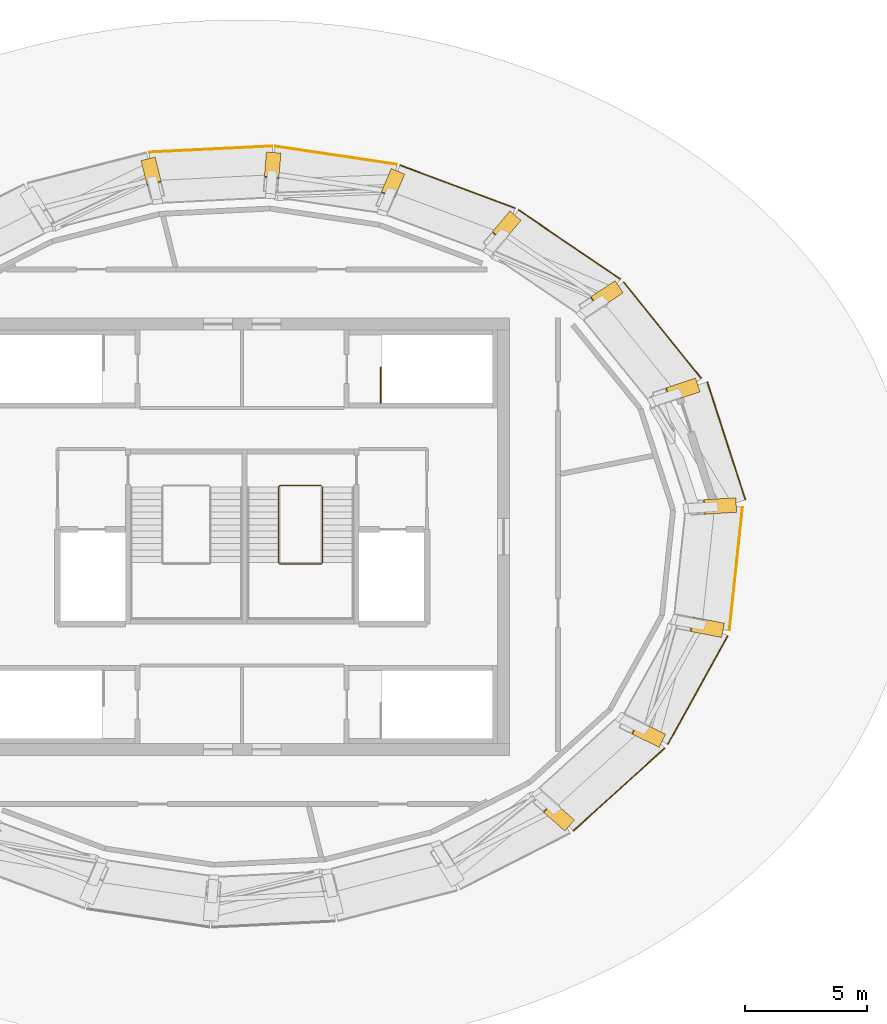
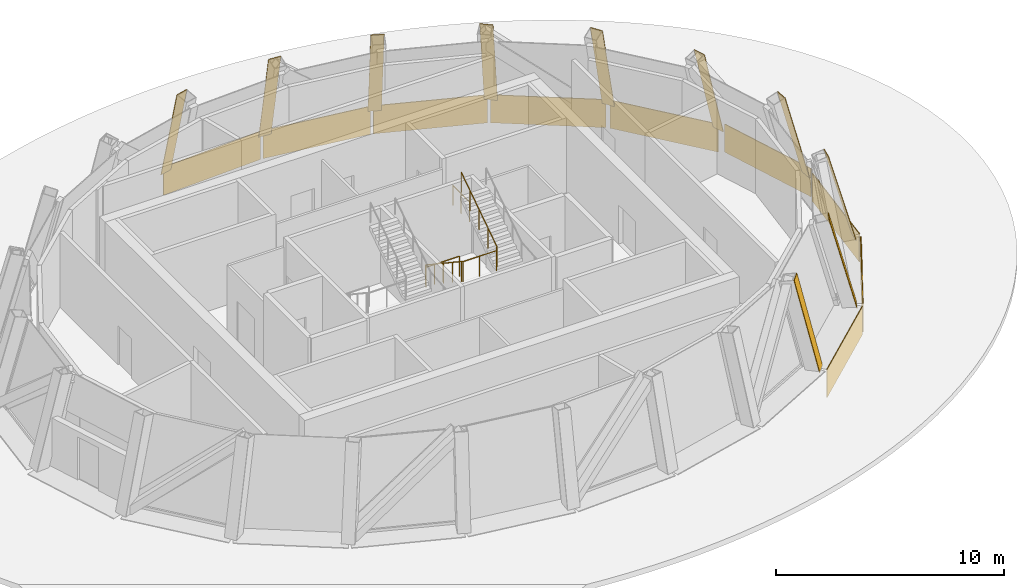
# One storey, part 9 of 9: 19 coverings, 2 railings.
"""IFC4 building model written with IfcOpenShell, lengths in metres."""

from ifc_helpers import new_model, si_unit, direction, frame, origin, origin_2d, place, context, subcontext, project, spatial, polyline, rectangle, circle, outline, extrude, source, transform, mapped, material, layer, layer_set, type_object, element, save


model = new_model("IFC4")

# Units and contexts
model_context = context("Model", 3, precision=1e-05, world=origin(), true_north=direction((0.0, 1.0)))
body_context = subcontext(model_context, "Body", "Model", "MODEL_VIEW")
ifc_project = project(units=[si_unit("LENGTHUNIT", "METRE"), si_unit("AREAUNIT", "SQUARE_METRE"), si_unit("VOLUMEUNIT", "CUBIC_METRE"), si_unit("PLANEANGLEUNIT", "RADIAN"), si_unit("MASSUNIT", "GRAM", prefix="KILO")], contexts=[model_context])

# Site, building, storey
site_placement = place(None, origin())
site = spatial("IfcSite", under=ifc_project, at=site_placement, CompositionType="ELEMENT")
building_placement = place(site_placement, origin())
building = spatial("IfcBuilding", under=site, at=building_placement, Name="Embergate Tower", CompositionType="ELEMENT")
storey_placement = place(building_placement, frame((0.0, 0.0, 352.0)))
storey = spatial("IfcBuildingStorey", under=building, at=storey_placement, Name="L80", CompositionType="ELEMENT", Elevation=352.0)

# Coverings
ifc_material_1 = material(Name="Terracotta rainscreen on insulated backing", Category="masonry")
ifc_layer_1 = layer(ifc_material_1, 0.0400390625)
ifc_layer_set_1 = layer_set([ifc_layer_1], Name="Terracotta rainscreen on insulated backing")
covering_type_1 = type_object("IfcCoveringType", Name="Terracotta rainscreen band", PredefinedType="CLADDING", material=ifc_layer_set_1)
shared_shape_1 = source(origin(), body_context, "Body", "SweptSolid", [
    extrude(rectangle(XDim=5.09375, YDim=0.0400390625, at=origin_2d()), origin(), (0.0, 0.0, 1.0), 1.5),
])
covering_1_placement = place(storey_placement, frame((19.922119140625, 3.942138671875, -1.5), z_axis=(0.0, 0.0, 1.0), x_axis=(-0.307437998108, 0.951568114913, 0.0)))
element("IfcCovering", 1, at=covering_1_placement, inside=storey, type_object=covering_type_1, Name="Crown band 1", PredefinedType="CLADDING", context=body_context, shape_type="MappedRepresentation", body=[
    mapped(shared_shape_1, transform((0.0, 0.0, 0.0))),
])
shared_shape_2 = source(origin(), body_context, "Body", "SweptSolid", [
    extrude(rectangle(XDim=5.083740234375, YDim=0.0400390625, at=origin_2d()), origin(), (0.0, 0.0, 1.0), 1.5),
])
covering_2_placement = place(storey_placement, frame((17.291259765625, 8.49609375, -1.5), z_axis=(0.0, 0.0, 1.0), x_axis=(-0.62828627661, 0.777982232846, 0.0)))
element("IfcCovering", 2, at=covering_2_placement, inside=storey, type_object=covering_type_1, Name="Crown band 2", PredefinedType="CLADDING", context=body_context, shape_type="MappedRepresentation", body=[
    mapped(shared_shape_2, transform((0.0, 0.0, 0.0))),
])
shared_shape_3 = source(origin(), body_context, "Body", "SweptSolid", [
    extrude(rectangle(XDim=5.0732421875, YDim=0.0400390625, at=origin_2d()), origin(), (0.0, 0.0, 1.0), 1.5),
])
covering_3_placement = place(storey_placement, frame((13.463134765625, 12.023193359375, -1.5), z_axis=(0.0, 0.0, 1.0), x_axis=(-0.826890208879, 0.562363390043, 0.0)))
element("IfcCovering", 3, at=covering_3_placement, inside=storey, type_object=covering_type_1, Name="Crown band 3", PredefinedType="CLADDING", context=body_context, shape_type="MappedRepresentation", body=[
    mapped(shared_shape_3, transform((0.0, 0.0, 0.0))),
])
shared_shape_4 = source(origin(), body_context, "Body", "SweptSolid", [
    extrude(rectangle(XDim=5.064453125, YDim=0.0400390625, at=origin_2d()), origin(), (0.0, 0.0, 1.0), 1.5),
])
covering_4_placement = place(storey_placement, frame((8.861083984375, 14.40283203125, -1.5), z_axis=(0.0, 0.0, 1.0), x_axis=(-0.936936583117, 0.349499412327, 0.0)))
element("IfcCovering", 4, at=covering_4_placement, inside=storey, type_object=covering_type_1, Name="Crown band 4", PredefinedType="CLADDING", context=body_context, shape_type="MappedRepresentation", body=[
    mapped(shared_shape_4, transform((0.0, 0.0, 0.0))),
])
shared_shape_5 = source(origin(), body_context, "Body", "SweptSolid", [
    extrude(rectangle(XDim=5.061279296875, YDim=0.0400390625, at=origin_2d()), origin(), (0.0, 0.0, 1.0), 1.5),
])
covering_5_placement = place(storey_placement, frame((3.8603515625, 15.693115234375, -1.5), z_axis=(0.0, 0.0, 1.0), x_axis=(-0.989077948107, 0.147393393912, 0.0)))
element("IfcCovering", 5, at=covering_5_placement, inside=storey, type_object=covering_type_1, Name="Crown band 5", PredefinedType="CLADDING", context=body_context, shape_type="MappedRepresentation", body=[
    mapped(shared_shape_5, transform((0.0, 0.0, 0.0))),
])
shared_shape_6 = source(origin(), body_context, "Body", "SweptSolid", [
    extrude(rectangle(XDim=5.05908203125, YDim=0.0400390625, at=origin_2d()), origin(), (0.0, 0.0, 1.0), 1.5),
])
covering_6_placement = place(storey_placement, frame((-1.291015625, 15.9482421875, -1.5), z_axis=(0.0, 0.0, 1.0), x_axis=(-0.998797767356, -0.049020607146, 0.0)))
element("IfcCovering", 6, at=covering_6_placement, inside=storey, type_object=covering_type_1, Name="Crown band 6", PredefinedType="CLADDING", context=body_context, shape_type="MappedRepresentation", body=[
    mapped(shared_shape_6, transform((0.0, 0.0, 0.0))),
])
shared_shape_7 = source(origin(), body_context, "Body", "SweptSolid", [
    extrude(rectangle(XDim=5.078369140625, YDim=0.0400390625, at=origin_2d()), origin(), (0.0, 0.0, 1.0), 1.5),
])
covering_7_placement = place(storey_placement, frame((15.505126953125, -10.404052734375, -1.5), z_axis=(0.0, 0.0, 1.0), x_axis=(0.741194871554, 0.671289924237, 0.0)))
element("IfcCovering", 7, at=covering_7_placement, inside=storey, type_object=covering_type_1, Name="Crown band 20", PredefinedType="CLADDING", context=body_context, shape_type="MappedRepresentation", body=[
    mapped(shared_shape_7, transform((0.0, 0.0, 0.0))),
])
shared_shape_8 = source(origin(), body_context, "Body", "SweptSolid", [
    extrude(rectangle(XDim=5.089111328125, YDim=0.0400390625, at=origin_2d()), origin(), (0.0, 0.0, 1.0), 1.5),
])
covering_8_placement = place(storey_placement, frame((18.74462890625, -6.31298828125, -1.5), z_axis=(0.0, 0.0, 1.0), x_axis=(0.483772786988, 0.87519363033, 0.0)))
element("IfcCovering", 8, at=covering_8_placement, inside=storey, type_object=covering_type_1, Name="Crown band 21", PredefinedType="CLADDING", context=body_context, shape_type="MappedRepresentation", body=[
    mapped(shared_shape_8, transform((0.0, 0.0, 0.0))),
])
shared_shape_9 = source(origin(), body_context, "Body", "SweptSolid", [
    extrude(rectangle(XDim=5.0966796875, YDim=0.0400390625, at=origin_2d()), origin(), (0.0, 0.0, 1.0), 1.5),
])
covering_9_placement = place(storey_placement, frame((20.319091796875, -1.317626953125, -1.5), z_axis=(0.0, 0.0, 1.0), x_axis=(0.105757307005, 0.994391971013, 0.0)))
element("IfcCovering", 9, at=covering_9_placement, inside=storey, type_object=covering_type_1, Name="Crown band 22", PredefinedType="CLADDING", context=body_context, shape_type="MappedRepresentation", body=[
    mapped(shared_shape_9, transform((0.0, 0.0, 0.0))),
])
ifc_material_2 = material(Name="Terracotta, extruded and fired", Category="masonry")
ifc_layer_2 = layer(ifc_material_2, 0.030029296875)
ifc_layer_set_2 = layer_set([ifc_layer_2], Name="Terracotta, extruded and fired")
covering_type_2 = type_object("IfcCoveringType", Name="Terracotta hip facing", PredefinedType="CLADDING", material=ifc_layer_set_2)
shared_shape_10 = source(origin(), body_context, "Body", "SweptSolid", [
    extrude(outline(polyline([(0.0, 0.0), (4.964111328125, 0.0), (4.964111328125, -0.599853515625), (0.0, -0.599853515625), (0.0, 0.0)])), origin(), (0.0, 0.0, -1.0), 0.030029296875),
])
covering_10_placement = place(storey_placement, frame((20.348388671875, 1.00634765625, -0.058349609375), z_axis=(0.962890864986, 0.063027725869, 0.262428443385), x_axis=(-0.261869830927, -0.017113744311, 0.964951455466)))
element("IfcCovering", 10, at=covering_10_placement, inside=storey, type_object=covering_type_2, Name="Hip facing L80-HP00", PredefinedType="CLADDING", context=body_context, shape_type="MappedRepresentation", body=[
    mapped(shared_shape_10, transform((0.0, 0.0, 0.0))),
])
shared_shape_11 = source(origin(), body_context, "Body", "SweptSolid", [
    extrude(outline(polyline([(0.0, 0.0), (4.9541015625, 0.0), (4.9541015625, -0.60009765625), (0.0, -0.599853515625), (0.0, 0.0)])), origin(), (0.0, 0.0, -1.0), 0.030029296875),
])
covering_11_placement = place(storey_placement, frame((18.839599609375, 5.95751953125, -0.060791015625), z_axis=(0.917188173531, 0.306057215958, 0.255136894422), x_axis=(-0.24201452627, -0.080770069283, 0.966904941027)))
element("IfcCovering", 11, at=covering_11_placement, inside=storey, type_object=covering_type_2, Name="Hip facing L80-HP01", PredefinedType="CLADDING", context=body_context, shape_type="MappedRepresentation", body=[
    mapped(shared_shape_11, transform((0.0, 0.0, 0.0))),
])
shared_shape_12 = source(origin(), body_context, "Body", "SweptSolid", [
    extrude(outline(polyline([(0.0, 0.0), (4.937255859375, 0.0), (4.937255859375, -0.60009765625), (0.0, -0.599853515625), (0.0, 0.0)])), origin(), (0.0, 0.0, -1.0), 0.030029296875),
])
covering_12_placement = place(storey_placement, frame((15.6748046875, 10.031005859375, -0.06640625), z_axis=(0.809043095411, 0.536136686366, 0.240845849663), x_axis=(-0.200729909669, -0.133094817169, 0.970563379181)))
element("IfcCovering", 12, at=covering_12_placement, inside=storey, type_object=covering_type_2, Name="Hip facing L80-HP02", PredefinedType="CLADDING", context=body_context, shape_type="MappedRepresentation", body=[
    mapped(shared_shape_12, transform((0.0, 0.0, 0.0))),
])
shared_shape_13 = source(origin(), body_context, "Body", "SweptSolid", [
    extrude(outline(polyline([(0.0, 0.0), (4.918701171875, 0.0), (4.918701171875, -0.60009765625), (0.0, -0.60009765625), (0.0, 0.0)])), origin(), (0.0, 0.0, -1.0), 0.030029296875),
])
covering_13_placement = place(storey_placement, frame((11.475830078125, 13.013671875, -0.071533203125), z_axis=(0.630964897671, 0.742334958127, 0.225437591916), x_axis=(-0.145979805997, -0.171790584344, 0.974257610374)))
element("IfcCovering", 13, at=covering_13_placement, inside=storey, type_object=covering_type_2, Name="Hip facing L80-HP03", PredefinedType="CLADDING", context=body_context, shape_type="MappedRepresentation", body=[
    mapped(shared_shape_13, transform((0.0, 0.0, 0.0))),
])
shared_shape_14 = source(origin(), body_context, "Body", "SweptSolid", [
    extrude(outline(polyline([(0.0, 0.0), (4.906005859375, 0.0), (4.906005859375, -0.599853515625), (0.0, -0.60009765625), (0.0, 0.0)])), origin(), (0.0, 0.0, -1.0), 0.030029296875),
])
covering_14_placement = place(storey_placement, frame((6.687744140625, 14.914306640625, -0.076904296875), z_axis=(0.384474272038, 0.898365685284, 0.212411463075), x_axis=(-0.083600901057, -0.195267815611, 0.97718031577)))
element("IfcCovering", 14, at=covering_14_placement, inside=storey, type_object=covering_type_2, Name="Hip facing L80-HP04", PredefinedType="CLADDING", context=body_context, shape_type="MappedRepresentation", body=[
    mapped(shared_shape_14, transform((0.0, 0.0, 0.0))),
])
shared_shape_15 = source(origin(), body_context, "Body", "SweptSolid", [
    extrude(outline(polyline([(0.0, 0.0), (4.8994140625, 0.0), (4.8994140625, -0.599853515625), (0.0, -0.599853515625), (0.0, 0.0)])), origin(), (0.0, 0.0, -1.0), 0.030029296875),
])
covering_15_placement = place(storey_placement, frame((1.594482421875, 15.78125, -0.078857421875), z_axis=(0.080235361337, 0.975168237789, 0.206419947676), x_axis=(-0.016940191654, -0.205723661449, 0.978463491923)))
element("IfcCovering", 15, at=covering_15_placement, inside=storey, type_object=covering_type_2, Name="Hip facing L80-HP05", PredefinedType="CLADDING", context=body_context, shape_type="MappedRepresentation", body=[
    mapped(shared_shape_15, transform((0.0, 0.0, 0.0))),
])
shared_shape_16 = source(origin(), body_context, "Body", "SweptSolid", [
    extrude(outline(polyline([(0.0, 0.0), (4.901611328125, 0.0), (4.901611328125, -0.60009765625), (0.0, -0.599853515625), (0.0, 0.0)])), origin(), (0.0, 0.0, -1.0), 0.030029296875),
])
covering_16_placement = place(storey_placement, frame((-3.582275390625, 15.620849609375, -0.078125), z_axis=(-0.237163385132, 0.948852503098, 0.208404549179), x_axis=(0.050604126871, -0.20216746336, 0.97804270822)))
element("IfcCovering", 16, at=covering_16_placement, inside=storey, type_object=covering_type_2, Name="Hip facing L80-HP06", PredefinedType="CLADDING", context=body_context, shape_type="MappedRepresentation", body=[
    mapped(shared_shape_16, transform((0.0, 0.0, 0.0))),
])
shared_shape_17 = source(origin(), body_context, "Body", "SweptSolid", [
    extrude(outline(polyline([(0.0, 0.0), (4.927490234375, 0.0), (4.927490234375, -0.60009765625), (0.0, -0.60009765625), (0.0, 0.0)])), origin(), (0.0, 0.0, -1.0), 0.030029296875),
])
covering_17_placement = place(storey_placement, frame((13.275390625, -12.109375, -0.069091796875), z_axis=(0.729613112149, -0.642961663364, 0.232948505092), x_axis=(-0.174748774861, 0.154038542966, 0.972489070872)))
element("IfcCovering", 17, at=covering_17_placement, inside=storey, type_object=covering_type_2, Name="Hip facing L80-HP19", PredefinedType="CLADDING", context=body_context, shape_type="MappedRepresentation", body=[
    mapped(shared_shape_17, transform((0.0, 0.0, 0.0))),
])
shared_shape_18 = source(origin(), body_context, "Body", "SweptSolid", [
    extrude(outline(polyline([(0.0, 0.0), (4.945556640625, 0.0), (4.945556640625, -0.599853515625), (0.0, -0.60009765625), (0.0, 0.0)])), origin(), (0.0, 0.0, -1.0), 0.030029296875),
])
covering_18_placement = place(storey_placement, frame((17.16162109375, -8.665283203125, -0.06298828125), z_axis=(0.871445875169, -0.422716282731, 0.248783100239), x_axis=(-0.223845033307, 0.108565336215, 0.968559223195)))
element("IfcCovering", 18, at=covering_18_placement, inside=storey, type_object=covering_type_2, Name="Hip facing L80-HP20", PredefinedType="CLADDING", context=body_context, shape_type="MappedRepresentation", body=[
    mapped(shared_shape_18, transform((0.0, 0.0, 0.0))),
])
shared_shape_19 = source(origin(), body_context, "Body", "SweptSolid", [
    extrude(outline(polyline([(0.0, 0.0), (4.96044921875, 0.0), (4.960205078125, -0.60009765625), (0.0, -0.599853515625), (0.0, 0.0)])), origin(), (0.0, 0.0, -1.0), 0.030029296875),
])
covering_19_placement = place(storey_placement, frame((19.7265625, -4.148193359375, -0.059326171875), z_axis=(0.947879291917, -0.184468115049, 0.259800620641), x_axis=(-0.255029930709, 0.049559072546, 0.965662276767)))
element("IfcCovering", 19, at=covering_19_placement, inside=storey, type_object=covering_type_2, Name="Hip facing L80-HP21", PredefinedType="CLADDING", context=body_context, shape_type="MappedRepresentation", body=[
    mapped(shared_shape_19, transform((0.0, 0.0, 0.0))),
])

# Railings
ifc_material_3 = material(Name="Stair guard 1100")
railing_type = type_object("IfcRailingType", Name="Stair guard 1100", PredefinedType="GUARDRAIL", material=ifc_material_3)
shared_shape_20 = source(origin(), body_context, "Body", "SweptSolid", [
    extrude(circle(Radius=0.02392578125, at=origin_2d()), frame((0.0, 0.0, 1.076171875), z_axis=(0.0, 1.0, 0.0), x_axis=(-1.0, 0.0, 0.0)), (0.0, 0.0, 1.0), 1.449951171875),
    extrude(circle(Radius=0.02099609375, at=origin_2d()), origin(), (0.0, 0.0, 1.0), 1.052001953125),
    extrude(circle(Radius=0.02099609375, at=origin_2d()), frame((0.0, 0.72509765625, 0.0)), (0.0, 0.0, 1.0), 1.052001953125),
    extrude(circle(Radius=0.02099609375, at=origin_2d()), frame((0.0, 1.449951171875, 0.0)), (0.0, 0.0, 1.0), 1.052001953125),
])
railing_1_placement = place(storey_placement, frame((5.699951171875, 5.5, 0.0)))
element("IfcRailing", 20, at=railing_1_placement, inside=storey, type_object=railing_type, Name="L80 ST2 top well guard 1", PredefinedType="GUARDRAIL", context=body_context, shape_type="MappedRepresentation", body=[
    mapped(shared_shape_20, transform((0.0, 0.0, 0.0))),
])
shared_shape_21 = source(origin(), body_context, "Body", "SweptSolid", [
    extrude(circle(Radius=0.02392578125, at=origin_2d()), frame((0.0, 0.0, 1.076171875), z_axis=(-1.0, 0.0, 0.0), x_axis=(0.0, -1.0, 0.0)), (0.0, 0.0, 1.0), 1.699951171875),
    extrude(circle(Radius=0.02392578125, at=origin_2d()), frame((-1.699951171875, 0.0, 1.076171875), z_axis=(-0.267629722418, -0.267629722418, 0.925607186314), x_axis=(0.707106781187, -0.707106781187, 0.0)), (0.0, 0.0, 1.0), 0.18701171875),
    extrude(circle(Radius=0.02392578125, at=origin_2d()), frame((-1.75, -0.050048828125, 1.2490234375), z_axis=(0.0, -0.83244090515, 0.554113832559), x_axis=(1.0, 0.0, 0.0)), (0.0, 0.0, 1.0), 3.748046875),
    extrude(circle(Radius=0.02392578125, at=origin_2d()), frame((-1.75, -3.170166015625, 3.326171875), z_axis=(0.707106781187, -0.707106781187, 0.0), x_axis=(0.707106781187, 0.707106781187, 0.0)), (0.0, 0.0, 1.0), 0.07080078125),
    extrude(circle(Radius=0.02392578125, at=origin_2d()), frame((-1.699951171875, -3.22021484375, 3.326171875), z_axis=(1.0, 0.0, 0.0), x_axis=(0.0, 1.0, 0.0)), (0.0, 0.0, 1.0), 1.699951171875),
    extrude(circle(Radius=0.02392578125, at=origin_2d()), frame((0.0, -3.22021484375, 3.326171875), z_axis=(0.267629722418, 0.267629722418, 0.925607186314), x_axis=(-0.707106781187, 0.707106781187, 0.0)), (0.0, 0.0, 1.0), 0.18701171875),
    extrude(circle(Radius=0.02392578125, at=origin_2d()), frame((0.050048828125, -3.170166015625, 3.4990234375), z_axis=(0.0, 0.83244090515, 0.554113832559), x_axis=(-1.0, 0.0, 0.0)), (0.0, 0.0, 1.0), 3.748046875),
    extrude(circle(Radius=0.02099609375, at=origin_2d()), origin(), (0.0, 0.0, 1.0), 1.052001953125),
    extrude(circle(Radius=0.02099609375, at=origin_2d()), frame((-0.85009765625, 0.0, 0.0)), (0.0, 0.0, 1.0), 1.052001953125),
    extrude(circle(Radius=0.02099609375, at=origin_2d()), frame((-1.699951171875, 0.0, 0.0)), (0.0, 0.0, 1.0), 1.052001953125),
    extrude(circle(Radius=0.02099609375, at=origin_2d()), frame((-1.75, -0.050048828125, 0.173095703125)), (0.0, 0.0, 1.0), 1.052001953125),
    extrude(circle(Radius=0.02099609375, at=origin_2d()), frame((-1.75, -0.830078125, 0.6923828125)), (0.0, 0.0, 1.0), 1.052001953125),
    extrude(circle(Radius=0.02099609375, at=origin_2d()), frame((-1.75, -1.610107421875, 1.21142578125)), (0.0, 0.0, 1.0), 1.052001953125),
    extrude(circle(Radius=0.02099609375, at=origin_2d()), frame((-1.75, -2.39013671875, 1.730712890625)), (0.0, 0.0, 1.0), 1.052001953125),
    extrude(circle(Radius=0.02099609375, at=origin_2d()), frame((-1.75, -3.170166015625, 2.25)), (0.0, 0.0, 1.0), 1.052001953125),
    extrude(circle(Radius=0.02099609375, at=origin_2d()), frame((-1.699951171875, -3.22021484375, 2.25)), (0.0, 0.0, 1.0), 1.052001953125),
    extrude(circle(Radius=0.02099609375, at=origin_2d()), frame((-0.85009765625, -3.22021484375, 2.25)), (0.0, 0.0, 1.0), 1.052001953125),
    extrude(circle(Radius=0.02099609375, at=origin_2d()), frame((0.0, -3.22021484375, 2.25)), (0.0, 0.0, 1.0), 1.052001953125),
    extrude(circle(Radius=0.02099609375, at=origin_2d()), frame((0.050048828125, -3.170166015625, 2.423095703125)), (0.0, 0.0, 1.0), 1.052001953125),
    extrude(circle(Radius=0.02099609375, at=origin_2d()), frame((0.050048828125, -2.39013671875, 2.9423828125)), (0.0, 0.0, 1.0), 1.052001953125),
    extrude(circle(Radius=0.02099609375, at=origin_2d()), frame((0.050048828125, -1.610107421875, 3.46142578125)), (0.0, 0.0, 1.0), 1.052001953125),
    extrude(circle(Radius=0.02099609375, at=origin_2d()), frame((0.050048828125, -0.830078125, 3.980712890625)), (0.0, 0.0, 1.0), 1.052001953125),
    extrude(circle(Radius=0.02099609375, at=origin_2d()), frame((0.050048828125, -0.050048828125, 4.5)), (0.0, 0.0, 1.0), 1.052001953125),
])
railing_2_placement = place(storey_placement, frame((3.25, 2.10009765625, 0.0)))
element("IfcRailing", 21, at=railing_2_placement, inside=storey, type_object=railing_type, Name="L80 ST1 stair guard 1", PredefinedType="GUARDRAIL", context=body_context, shape_type="MappedRepresentation", body=[
    mapped(shared_shape_21, transform((0.0, 0.0, 0.0))),
])

save(model, "model.ifc")
